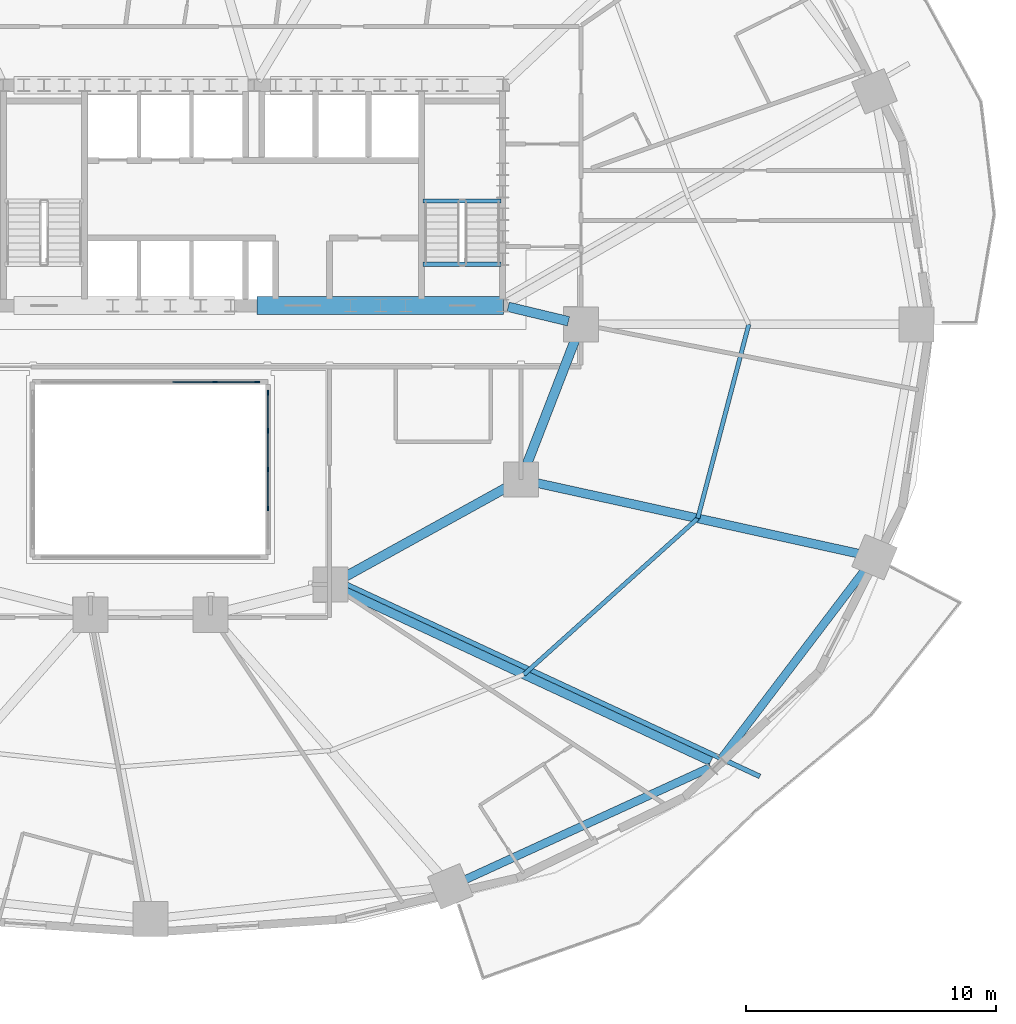
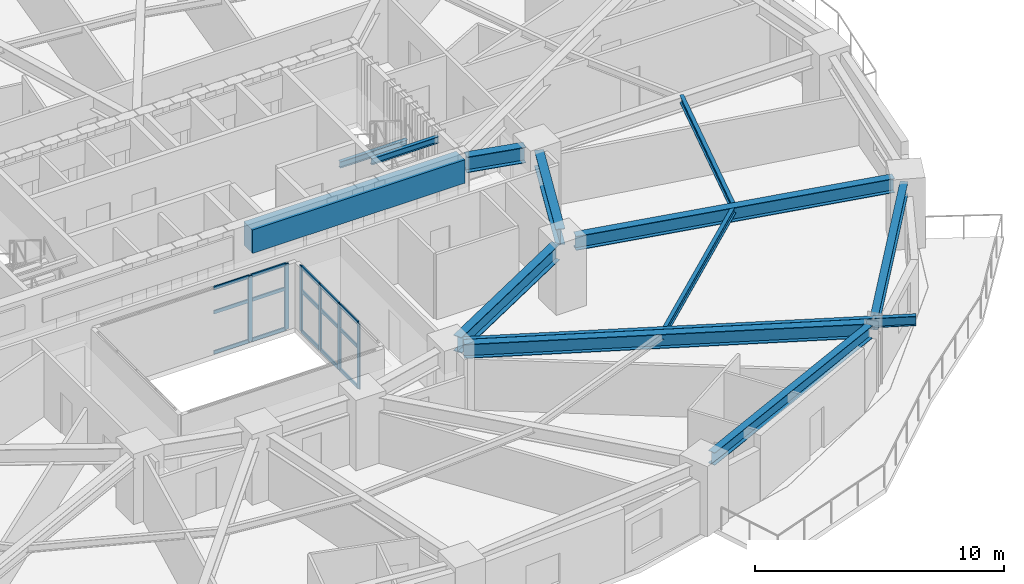
# One storey, part 6 of 17: 21 members, 13 beams, 2 elements without a shape of their own.
"""IFC4 building model written with IfcOpenShell, lengths in metres."""

import ifcopenshell
import ifcopenshell.guid

model = None  # the IFC model being written
_history = None  # IfcOwnerHistory: only IFC2X3 demands one
_inside = {}  # id of a spatial element -> (the spatial element, [elements in it])
_under = {}  # id of a project, library or spatial element -> (it, [spatial elements below it])
_declared = {}  # id of a project -> (the project, [libraries it declares])
_typed = {}  # id of a type object -> (the type object, [elements of that type])
_made_of = {}  # id of a material, layer set ... -> (it, [elements and type objects made of it])


def new_model(schema):
    """Start an empty IFC model of exactly this schema.

    Asked for "IFC4X3", IfcOpenShell would pick the latest addendum, in which some entities
    have other attributes; the version numbers below select the first issue.
    IFC2X3 requires an IfcOwnerHistory on every rooted entity: one is made here for all.
    """
    global model, _history
    if schema == "IFC4X3":
        model = ifcopenshell.file(schema_version=(4, 3, 0, 0))
    else:
        model = ifcopenshell.file(schema=schema)
    _inside.clear()
    _under.clear()
    _declared.clear()
    _typed.clear()
    _made_of.clear()
    _history = None
    if model.schema == "IFC2X3":
        org = make("IfcOrganization", Name="unknown")
        user = make(
            "IfcPersonAndOrganization",
            ThePerson=make("IfcPerson", FamilyName="unknown"),
            TheOrganization=org,
        )
        app = make(
            "IfcApplication",
            ApplicationDeveloper=org,
            Version="unknown",
            ApplicationFullName="unknown",
            ApplicationIdentifier="unknown",
        )
        _history = make(
            "IfcOwnerHistory",
            OwningUser=user,
            OwningApplication=app,
            ChangeAction="ADDED",
            CreationDate=0,
        )
    return model


def make(cls, **values):
    """One entity of the class cls with the attributes given. An attribute that is None is left unset."""
    return model.create_entity(
        cls, **{name: value for name, value in values.items() if value is not None}
    )


def rooted(cls, **values):
    """An entity with a GlobalId (a new one), such as an element, a storey or a relation."""
    return make(cls, GlobalId=ifcopenshell.guid.new(), OwnerHistory=_history, **values)


def si_unit(unit_type, name, prefix=None):
    """IfcSIUnit, for example si_unit("LENGTHUNIT", "METRE", prefix="MILLI")."""
    return make("IfcSIUnit", UnitType=unit_type, Prefix=prefix, Name=name)


def assignment(units):
    """IfcUnitAssignment: the units of a project."""
    return None if units is None else make("IfcUnitAssignment", Units=units)


def point(xyz):
    """IfcCartesianPoint."""
    return None if xyz is None else make("IfcCartesianPoint", Coordinates=xyz)


def direction(xyz):
    """IfcDirection."""
    return None if xyz is None else make("IfcDirection", DirectionRatios=xyz)


def frame(location, z_axis=None, x_axis=None):
    """IfcAxis2Placement3D, a coordinate frame: its origin and axes. An axis left out is left unset."""
    return make(
        "IfcAxis2Placement3D",
        Location=point(location),
        Axis=direction(z_axis),
        RefDirection=direction(x_axis),
    )


def frame_2d(location, x_axis=None):
    """IfcAxis2Placement2D, a coordinate frame in the plane: its origin and x axis."""
    return make(
        "IfcAxis2Placement2D", Location=point(location), RefDirection=direction(x_axis)
    )


def origin():
    """The frame at (0, 0, 0) with its axes left unset."""
    return frame((0.0, 0.0, 0.0))


def origin_2d():
    """The frame at (0, 0) in the plane with its x axis left unset."""
    return frame_2d((0.0, 0.0))


def place(relative_to, where):
    """IfcLocalPlacement: puts the frame where relative to a parent placement (None: the world)."""
    return make(
        "IfcLocalPlacement", PlacementRelTo=relative_to, RelativePlacement=where
    )


def context(
    kind, dimensions, precision=None, world=None, true_north=None, identifier=None
):
    """IfcGeometricRepresentationContext, for example the 3D "Model" context."""
    return make(
        "IfcGeometricRepresentationContext",
        ContextIdentifier=identifier,
        ContextType=kind,
        CoordinateSpaceDimension=dimensions,
        Precision=precision,
        WorldCoordinateSystem=world,
        TrueNorth=true_north,
    )


def subcontext(parent, identifier, kind, view, scale=None):
    """IfcGeometricRepresentationSubContext, for example "Body" below "Model"."""
    return make(
        "IfcGeometricRepresentationSubContext",
        ContextIdentifier=identifier,
        ContextType=kind,
        ParentContext=parent,
        TargetScale=scale,
        TargetView=view,
    )


def project(units=None, contexts=None):
    """IfcProject with its units and contexts."""
    return rooted(
        "IfcProject",
        Name="project",
        RepresentationContexts=contexts,
        UnitsInContext=assignment(units),
    )


def spatial(cls, under=None, at=None, **own):
    """A site, building, storey or space (cls), placed at a placement, below another one or the project."""
    s = rooted(cls, ObjectPlacement=at, **own)
    if under is not None:
        _under.setdefault(under.id(), (under, []))[1].append(s)
    return s


def profile(cls, at=None, kind="AREA", **sizes):
    """A parametric profile (cls). Its sizes go by their IFC names, for example OverallWidth=200.0."""
    return make(cls, ProfileType=kind, Position=at, **sizes)


def rectangle(**sizes):
    """IfcRectangleProfileDef."""
    return profile("IfcRectangleProfileDef", **sizes)


def i_section(**sizes):
    """IfcIShapeProfileDef."""
    return profile("IfcIShapeProfileDef", **sizes)


def extrude(swept, where, along, depth):
    """IfcExtrudedAreaSolid: the profile swept, set in the frame where, extruded along a direction by depth."""
    return make(
        "IfcExtrudedAreaSolid",
        SweptArea=swept,
        Position=where,
        ExtrudedDirection=direction(along),
        Depth=depth,
    )


def shape(context_of_items, identifier, shape_type, items):
    """IfcShapeRepresentation: the items that make up one representation, for example the "Body"."""
    return make(
        "IfcShapeRepresentation",
        ContextOfItems=context_of_items,
        RepresentationIdentifier=identifier,
        RepresentationType=shape_type,
        Items=items,
    )


def material(Name=None, Category=None):
    """IfcMaterial."""
    return make("IfcMaterial", Name=Name, Category=Category)


def material_profile(
    of_material, cross_section, Name=None, Category=None, Priority=None
):
    """IfcMaterialProfile: a cross section and its material."""
    return make(
        "IfcMaterialProfile",
        Name=Name,
        Material=of_material,
        Profile=cross_section,
        Priority=Priority,
        Category=Category,
    )


def profile_set(profiles, Name=None, composite=None):
    """IfcMaterialProfileSet."""
    return make(
        "IfcMaterialProfileSet",
        Name=Name,
        MaterialProfiles=profiles,
        CompositeProfile=composite,
    )


def made_of(thing, what):
    """Note that an element or type object is made of a material, layer set ...; save() writes the relation."""
    if what is not None:
        _made_of.setdefault(what.id(), (what, []))[1].append(thing)
    return thing


def type_object(cls, material=None, **own):
    """A type object (cls), such as IfcWallType, which elements share."""
    return made_of(rooted(cls, **own), material)


def element(
    cls,
    number,
    at=None,
    inside=None,
    cuts=None,
    type_object=None,
    material=None,
    context=None,
    identifier="Body",
    shape_type=None,
    held_by="IfcProductDefinitionShape",
    body=None,
    shapes=None,
    **own,
):
    """One element of the class cls, such as IfcWall. Its Tag is "e" and its number.

    at: its placement. inside: the storey or other place that contains it. cuts: it is an
    opening in that element (IfcRelVoidsElement). A single representation is given by context,
    identifier, shape_type and body (its items); several are given by shapes. held_by: the class
    of the entity that holds the representations. save() writes the other relations.
    """
    e = rooted(cls, Tag="e%d" % number, ObjectPlacement=at, **own)
    if body is not None:
        shapes = [shape(context, identifier, shape_type, body)]
    if shapes is not None:
        e.Representation = make(held_by, Representations=shapes)
    if inside is not None:
        _inside.setdefault(inside.id(), (inside, []))[1].append(e)
    if cuts is not None:
        rooted(
            "IfcRelVoidsElement", RelatingBuildingElement=cuts, RelatedOpeningElement=e
        )
    if type_object is not None:
        _typed.setdefault(type_object.id(), (type_object, []))[1].append(e)
    return made_of(e, material)


def aggregate(whole, parts):
    """IfcRelAggregates: a whole, such as a stair, and the parts it consists of."""
    return rooted("IfcRelAggregates", RelatingObject=whole, RelatedObjects=parts)


def save(model, path):
    """Write the relations noted so far, then the file.

    IfcRelAggregates (storeys below a building ...), IfcRelContainedInSpatialStructure (elements
    in a storey), IfcRelDefinesByType, IfcRelAssociatesMaterial and IfcRelDeclares: one each for
    every whole, place, type object, material and project.
    """
    for whole, parts in _under.values():
        aggregate(whole, parts)
    for where, things in _inside.values():
        rooted(
            "IfcRelContainedInSpatialStructure",
            RelatedElements=things,
            RelatingStructure=where,
        )
    for kind, things in _typed.values():
        rooted("IfcRelDefinesByType", RelatedObjects=things, RelatingType=kind)
    for what, things in _made_of.values():
        rooted("IfcRelAssociatesMaterial", RelatedObjects=things, RelatingMaterial=what)
    for by, libraries in _declared.values():
        rooted("IfcRelDeclares", RelatingContext=by, RelatedDefinitions=libraries)
    model.write(path)


model = new_model("IFC4")

# Units and contexts
model_context = context("Model", 3, precision=1e-05, world=origin(), true_north=direction((0.0, 1.0)))
body_context = subcontext(model_context, "Body", "Model", "MODEL_VIEW")
ifc_project = project(units=[si_unit("LENGTHUNIT", "METRE"), si_unit("AREAUNIT", "SQUARE_METRE"), si_unit("VOLUMEUNIT", "CUBIC_METRE"), si_unit("PLANEANGLEUNIT", "RADIAN"), si_unit("MASSUNIT", "GRAM", prefix="KILO")], contexts=[model_context])

# Site, building, storey
site_placement = place(None, origin())
site = spatial("IfcSite", under=ifc_project, at=site_placement, CompositionType="ELEMENT")
building_placement = place(site_placement, origin())
building = spatial("IfcBuilding", under=site, at=building_placement, Name="Haldorwick Loom Tower", CompositionType="ELEMENT")
storey_placement = place(building_placement, frame((0.0, 0.0, 55.050048828125)))
storey = spatial("IfcBuildingStorey", under=building, at=storey_placement, Name="L14", CompositionType="ELEMENT", Elevation=55.050048828125)

# Curtain wall, members
ifc_material_1 = material(Name="Thermally Broken Anodized Aluminium Curtain Wall Framing", Category="aluminium")
curtain_wall_type = type_object("IfcCurtainWallType", Name="ARC-CW-03", PredefinedType="NOTDEFINED", material=ifc_material_1)
curtain_wall_1_placement = place(storey_placement, origin())
curtain_wall_1 = element("IfcCurtainWall", 1, at=curtain_wall_1_placement, inside=storey, type_object=curtain_wall_type, Name="L14 Atrium Glazed Screen N", PredefinedType="NOTDEFINED")
ifc_material_profile_1 = material_profile(ifc_material_1, rectangle(XDim=0.06591796875, YDim=0.18505859375, at=origin_2d()), Name="ALU_MUL_66X185", Category="aluminium")
ifc_profile_set_1 = profile_set([ifc_material_profile_1], Name="Thermally Broken Anodized Aluminium Curtain Wall Framing")
member_type_1 = type_object("IfcMemberType", Name="ARC-CWM-03", PredefinedType="MULLION", material=ifc_profile_set_1)
member_1_placement = place(storey_placement, frame((38.580078125, 23.699951171875, 0.0), z_axis=(0.0, 0.0, 1.0), x_axis=(0.0, 1.0, 0.0)))
member_1 = element("IfcMember", 2, at=member_1_placement, type_object=member_type_1, Name="CW-03 mullion 5", PredefinedType="MULLION", context=body_context, shape_type="SweptSolid", body=[
    extrude(rectangle(XDim=0.06591796875, YDim=0.18505859375, at=origin_2d()), origin(), (0.0, 0.0, 1.0), 3.2099609375),
])
member_2_placement = place(storey_placement, frame((40.26708984375, 23.699951171875, 0.0), z_axis=(0.0, 0.0, 1.0), x_axis=(0.0, 1.0, 0.0)))
member_2 = element("IfcMember", 3, at=member_2_placement, type_object=member_type_1, Name="CW-03 mullion 6", PredefinedType="MULLION", context=body_context, shape_type="SweptSolid", body=[
    extrude(rectangle(XDim=0.06591796875, YDim=0.18505859375, at=origin_2d()), origin(), (0.0, 0.0, 1.0), 3.2099609375),
])

curtain_wall_2_placement = place(storey_placement, origin())
curtain_wall_2 = element("IfcCurtainWall", 4, at=curtain_wall_2_placement, inside=storey, type_object=curtain_wall_type, Name="L14 Atrium Glazed Screen E", PredefinedType="NOTDEFINED")
member_3_placement = place(storey_placement, frame((40.699951171875, 23.26708984375, 0.0), z_axis=(0.0, 0.0, 1.0), x_axis=(1.0, 0.0, 0.0)))
member_3 = element("IfcMember", 5, at=member_3_placement, type_object=member_type_1, Name="CW-03 mullion 1", PredefinedType="MULLION", context=body_context, shape_type="SweptSolid", body=[
    extrude(rectangle(XDim=0.06591796875, YDim=0.18505859375, at=origin_2d()), origin(), (0.0, 0.0, 1.0), 3.2099609375),
])
member_4_placement = place(storey_placement, frame((40.699951171875, 21.75, 0.0), z_axis=(0.0, 0.0, 1.0), x_axis=(1.0, 0.0, 0.0)))
member_4 = element("IfcMember", 6, at=member_4_placement, type_object=member_type_1, Name="CW-03 mullion 2", PredefinedType="MULLION", context=body_context, shape_type="SweptSolid", body=[
    extrude(rectangle(XDim=0.06591796875, YDim=0.18505859375, at=origin_2d()), origin(), (0.0, 0.0, 1.0), 3.2099609375),
])
member_5_placement = place(storey_placement, frame((40.699951171875, 20.199951171875, 0.0), z_axis=(0.0, 0.0, 1.0), x_axis=(1.0, 0.0, 0.0)))
member_5 = element("IfcMember", 7, at=member_5_placement, type_object=member_type_1, Name="CW-03 mullion 3", PredefinedType="MULLION", context=body_context, shape_type="SweptSolid", body=[
    extrude(rectangle(XDim=0.06591796875, YDim=0.18505859375, at=origin_2d()), origin(), (0.0, 0.0, 1.0), 3.2099609375),
])
member_6_placement = place(storey_placement, frame((40.699951171875, 18.64990234375, 0.0), z_axis=(0.0, 0.0, 1.0), x_axis=(1.0, 0.0, 0.0)))
member_6 = element("IfcMember", 8, at=member_6_placement, type_object=member_type_1, Name="CW-03 mullion 4", PredefinedType="MULLION", context=body_context, shape_type="SweptSolid", body=[
    extrude(rectangle(XDim=0.06591796875, YDim=0.18505859375, at=origin_2d()), origin(), (0.0, 0.0, 1.0), 3.2099609375),
])

# Member
ifc_material_profile_2 = material_profile(ifc_material_1, rectangle(XDim=0.06591796875, YDim=0.1650390625, at=origin_2d()), Name="ALU_TRN_66X165", Category="aluminium")
ifc_profile_set_2 = profile_set([ifc_material_profile_2], Name="Thermally Broken Anodized Aluminium Curtain Wall Framing")
member_type_2 = type_object("IfcMemberType", Name="ARC-CWT-03", PredefinedType="USERDEFINED", material=ifc_profile_set_2)
member_7_placement = place(storey_placement, frame((36.89306640625, 23.699951171875, 0.032958984375), z_axis=(1.0, 0.0, 0.0), x_axis=(0.0, 1.0, 0.0)))
member_7 = element("IfcMember", 9, at=member_7_placement, type_object=member_type_2, Name="CW-03 transom 4.1", ObjectType="TRANSOM", PredefinedType="USERDEFINED", context=body_context, shape_type="SweptSolid", body=[
    extrude(rectangle(XDim=0.06591796875, YDim=0.1650390625, at=origin_2d()), origin(), (0.0, 0.0, 1.0), 1.654052734375),
])

member_8_placement = place(storey_placement, frame((36.89306640625, 23.699951171875, 2.0), z_axis=(1.0, 0.0, 0.0), x_axis=(0.0, 1.0, 0.0)))
member_8 = element("IfcMember", 10, at=member_8_placement, type_object=member_type_2, Name="CW-03 transom 4.2", ObjectType="TRANSOM", PredefinedType="USERDEFINED", context=body_context, shape_type="SweptSolid", body=[
    extrude(rectangle(XDim=0.06591796875, YDim=0.1650390625, at=origin_2d()), origin(), (0.0, 0.0, 1.0), 1.654052734375),
])

member_9_placement = place(storey_placement, frame((36.89306640625, 23.699951171875, 3.177001953125), z_axis=(1.0, 0.0, 0.0), x_axis=(0.0, 1.0, 0.0)))
member_9 = element("IfcMember", 11, at=member_9_placement, type_object=member_type_2, Name="CW-03 transom 4.3", ObjectType="TRANSOM", PredefinedType="USERDEFINED", context=body_context, shape_type="SweptSolid", body=[
    extrude(rectangle(XDim=0.06591796875, YDim=0.1650390625, at=origin_2d()), origin(), (0.0, 0.0, 1.0), 1.654052734375),
])

member_10_placement = place(storey_placement, frame((38.613037109375, 23.699951171875, 0.032958984375), z_axis=(1.0, 0.0, 0.0), x_axis=(0.0, 1.0, 0.0)))
member_10 = element("IfcMember", 12, at=member_10_placement, type_object=member_type_2, Name="CW-03 transom 5.1", ObjectType="TRANSOM", PredefinedType="USERDEFINED", context=body_context, shape_type="SweptSolid", body=[
    extrude(rectangle(XDim=0.06591796875, YDim=0.1650390625, at=origin_2d()), origin(), (0.0, 0.0, 1.0), 1.620849609375),
])

member_11_placement = place(storey_placement, frame((38.613037109375, 23.699951171875, 2.0), z_axis=(1.0, 0.0, 0.0), x_axis=(0.0, 1.0, 0.0)))
member_11 = element("IfcMember", 13, at=member_11_placement, type_object=member_type_2, Name="CW-03 transom 5.2", ObjectType="TRANSOM", PredefinedType="USERDEFINED", context=body_context, shape_type="SweptSolid", body=[
    extrude(rectangle(XDim=0.06591796875, YDim=0.1650390625, at=origin_2d()), origin(), (0.0, 0.0, 1.0), 1.620849609375),
])

member_12_placement = place(storey_placement, frame((38.613037109375, 23.699951171875, 3.177001953125), z_axis=(1.0, 0.0, 0.0), x_axis=(0.0, 1.0, 0.0)))
member_12 = element("IfcMember", 14, at=member_12_placement, type_object=member_type_2, Name="CW-03 transom 5.3", ObjectType="TRANSOM", PredefinedType="USERDEFINED", context=body_context, shape_type="SweptSolid", body=[
    extrude(rectangle(XDim=0.06591796875, YDim=0.1650390625, at=origin_2d()), origin(), (0.0, 0.0, 1.0), 1.620849609375),
])

aggregate(curtain_wall_1, [member_1, member_2, member_7, member_8, member_9, member_10, member_11, member_12])

member_13_placement = place(storey_placement, frame((40.699951171875, 23.23388671875, 0.032958984375), z_axis=(0.0, -1.0, 0.0), x_axis=(1.0, 0.0, 0.0)))
member_13 = element("IfcMember", 15, at=member_13_placement, type_object=member_type_2, Name="CW-03 transom 1.1", ObjectType="TRANSOM", PredefinedType="USERDEFINED", context=body_context, shape_type="SweptSolid", body=[
    extrude(rectangle(XDim=0.06591796875, YDim=0.1650390625, at=origin_2d()), origin(), (0.0, 0.0, 1.0), 1.450927734375),
])

member_14_placement = place(storey_placement, frame((40.699951171875, 23.23388671875, 2.0), z_axis=(0.0, -1.0, 0.0), x_axis=(1.0, 0.0, 0.0)))
member_14 = element("IfcMember", 16, at=member_14_placement, type_object=member_type_2, Name="CW-03 transom 1.2", ObjectType="TRANSOM", PredefinedType="USERDEFINED", context=body_context, shape_type="SweptSolid", body=[
    extrude(rectangle(XDim=0.06591796875, YDim=0.1650390625, at=origin_2d()), origin(), (0.0, 0.0, 1.0), 1.450927734375),
])

member_15_placement = place(storey_placement, frame((40.699951171875, 23.23388671875, 3.177001953125), z_axis=(0.0, -1.0, 0.0), x_axis=(1.0, 0.0, 0.0)))
member_15 = element("IfcMember", 17, at=member_15_placement, type_object=member_type_2, Name="CW-03 transom 1.3", ObjectType="TRANSOM", PredefinedType="USERDEFINED", context=body_context, shape_type="SweptSolid", body=[
    extrude(rectangle(XDim=0.06591796875, YDim=0.1650390625, at=origin_2d()), origin(), (0.0, 0.0, 1.0), 1.450927734375),
])

member_16_placement = place(storey_placement, frame((40.699951171875, 21.717041015625, 0.032958984375), z_axis=(0.0, -1.0, 0.0), x_axis=(1.0, 0.0, 0.0)))
member_16 = element("IfcMember", 18, at=member_16_placement, type_object=member_type_2, Name="CW-03 transom 2.1", ObjectType="TRANSOM", PredefinedType="USERDEFINED", context=body_context, shape_type="SweptSolid", body=[
    extrude(rectangle(XDim=0.06591796875, YDim=0.1650390625, at=origin_2d()), origin(), (0.0, 0.0, 1.0), 1.484130859375),
])

member_17_placement = place(storey_placement, frame((40.699951171875, 21.717041015625, 2.0), z_axis=(0.0, -1.0, 0.0), x_axis=(1.0, 0.0, 0.0)))
member_17 = element("IfcMember", 19, at=member_17_placement, type_object=member_type_2, Name="CW-03 transom 2.2", ObjectType="TRANSOM", PredefinedType="USERDEFINED", context=body_context, shape_type="SweptSolid", body=[
    extrude(rectangle(XDim=0.06591796875, YDim=0.1650390625, at=origin_2d()), origin(), (0.0, 0.0, 1.0), 1.484130859375),
])

member_18_placement = place(storey_placement, frame((40.699951171875, 21.717041015625, 3.177001953125), z_axis=(0.0, -1.0, 0.0), x_axis=(1.0, 0.0, 0.0)))
member_18 = element("IfcMember", 20, at=member_18_placement, type_object=member_type_2, Name="CW-03 transom 2.3", ObjectType="TRANSOM", PredefinedType="USERDEFINED", context=body_context, shape_type="SweptSolid", body=[
    extrude(rectangle(XDim=0.06591796875, YDim=0.1650390625, at=origin_2d()), origin(), (0.0, 0.0, 1.0), 1.484130859375),
])

member_19_placement = place(storey_placement, frame((40.699951171875, 20.1669921875, 0.032958984375), z_axis=(0.0, -1.0, 0.0), x_axis=(1.0, 0.0, 0.0)))
member_19 = element("IfcMember", 21, at=member_19_placement, type_object=member_type_2, Name="CW-03 transom 3.1", ObjectType="TRANSOM", PredefinedType="USERDEFINED", context=body_context, shape_type="SweptSolid", body=[
    extrude(rectangle(XDim=0.06591796875, YDim=0.1650390625, at=origin_2d()), origin(), (0.0, 0.0, 1.0), 1.48388671875),
])

member_20_placement = place(storey_placement, frame((40.699951171875, 20.1669921875, 2.0), z_axis=(0.0, -1.0, 0.0), x_axis=(1.0, 0.0, 0.0)))
member_20 = element("IfcMember", 22, at=member_20_placement, type_object=member_type_2, Name="CW-03 transom 3.2", ObjectType="TRANSOM", PredefinedType="USERDEFINED", context=body_context, shape_type="SweptSolid", body=[
    extrude(rectangle(XDim=0.06591796875, YDim=0.1650390625, at=origin_2d()), origin(), (0.0, 0.0, 1.0), 1.48388671875),
])

member_21_placement = place(storey_placement, frame((40.699951171875, 20.1669921875, 3.177001953125), z_axis=(0.0, -1.0, 0.0), x_axis=(1.0, 0.0, 0.0)))
member_21 = element("IfcMember", 23, at=member_21_placement, type_object=member_type_2, Name="CW-03 transom 3.3", ObjectType="TRANSOM", PredefinedType="USERDEFINED", context=body_context, shape_type="SweptSolid", body=[
    extrude(rectangle(XDim=0.06591796875, YDim=0.1650390625, at=origin_2d()), origin(), (0.0, 0.0, 1.0), 1.48388671875),
])

aggregate(curtain_wall_2, [member_3, member_4, member_5, member_6, member_13, member_14, member_15, member_16, member_17, member_18, member_19, member_20, member_21])

# Beams
ifc_material_2 = material(Name="Steel CSA G40.21 350W", Category="steel")
ifc_material_profile_3 = material_profile(ifc_material_2, i_section(OverallWidth=0.193115234375, OverallDepth=0.466064453125, WebThickness=0.011474609375, FlangeThickness=0.01904296875, at=origin_2d()), Name="W460X97", Category="steel")
ifc_profile_set_3 = profile_set([ifc_material_profile_3], Name="Steel CSA G40.21 350W")
beam_type_1 = type_object("IfcBeamType", Name="STR-BM-BAL460", PredefinedType="BEAM", material=ifc_profile_set_3)
beam_1_placement = place(storey_placement, frame((43.78955078125, 15.634765625, 2.97705078125), z_axis=(0.906835669686, -0.42148436292, 0.0), x_axis=(0.42148436292, 0.906835669686, 0.0)))
element("IfcBeam", 24, at=beam_1_placement, inside=storey, type_object=beam_type_1, Name="L14 Continuous Back-Spanned Balcony Beam 1", PredefinedType="BEAM", context=body_context, shape_type="SweptSolid", body=[
    extrude(i_section(OverallWidth=0.193115234375, OverallDepth=0.466064453125, WebThickness=0.011474609375, FlangeThickness=0.01904296875, at=origin_2d()), origin(), (0.0, 0.0, 1.0), 18.245361328125),
])
ifc_material_3 = material(Name="Concrete C60 (60 MPa)", Category="concrete")
ifc_material_profile_4 = material_profile(ifc_material_3, rectangle(XDim=0.699951171875, YDim=1.14990234375, at=origin_2d()), Name="RC700X1150", Category="concrete")
ifc_profile_set_4 = profile_set([ifc_material_profile_4], Name="Concrete C60 (60 MPa)")
beam_type_2 = type_object("IfcBeamType", Name="STR-BM-CB1150", PredefinedType="LINTEL", material=ifc_profile_set_4)
beam_2_placement = place(storey_placement, frame((40.25, 26.75, 2.635009765625), z_axis=(1.0, 0.0, 0.0), x_axis=(0.0, 1.0, 0.0)))
element("IfcBeam", 25, at=beam_2_placement, inside=storey, type_object=beam_type_2, Name="L14 Core Coupling Beam CB-S3", PredefinedType="LINTEL", context=body_context, shape_type="SweptSolid", body=[
    extrude(rectangle(XDim=0.699951171875, YDim=1.14990234375, at=origin_2d()), origin(), (0.0, 0.0, 1.0), 9.85009765625),
])
ifc_material_profile_5 = material_profile(ifc_material_2, i_section(OverallWidth=0.172119140625, OverallDepth=0.35791015625, WebThickness=0.0078125, FlangeThickness=0.01318359375, at=origin_2d()), Name="W360X57", Category="steel")
ifc_profile_set_5 = profile_set([ifc_material_profile_5], Name="Steel CSA G40.21 350W")
beam_type_3 = type_object("IfcBeamType", Name="STR-BM-J360", PredefinedType="JOIST", material=ifc_profile_set_5)
beam_3_placement = place(storey_placement, frame((50.9150390625, 12.01416015625, 3.031005859375), z_axis=(0.743981830112, 0.668199847698, 0.0), x_axis=(-0.668199847698, 0.743981830112, 0.0)))
element("IfcBeam", 26, at=beam_3_placement, inside=storey, type_object=beam_type_3, Name="L14 Mid-Bay Secondary Joist 15", PredefinedType="JOIST", context=body_context, shape_type="SweptSolid", body=[
    extrude(i_section(OverallWidth=0.172119140625, OverallDepth=0.35791015625, WebThickness=0.0078125, FlangeThickness=0.01318359375, at=origin_2d()), origin(), (0.0, 0.0, 1.0), 9.3330078125),
])
beam_4_placement = place(storey_placement, frame((57.858642578125, 18.25048828125, 3.031005859375), z_axis=(0.2544888003, 0.967075721193, 0.0), x_axis=(-0.967075721193, 0.2544888003, 0.0)))
element("IfcBeam", 27, at=beam_4_placement, inside=storey, type_object=beam_type_3, Name="L14 Mid-Bay Secondary Joist 16", PredefinedType="JOIST", context=body_context, shape_type="SweptSolid", body=[
    extrude(i_section(OverallWidth=0.172119140625, OverallDepth=0.35791015625, WebThickness=0.0078125, FlangeThickness=0.01318359375, at=origin_2d()), origin(), (0.0, 0.0, 1.0), 8.013427734375),
])
ifc_material_profile_6 = material_profile(ifc_material_2, i_section(OverallWidth=0.324951171875, OverallDepth=0.615966796875, WebThickness=0.013916015625, FlangeThickness=0.021484375, at=origin_2d()), Name="W610X174", Category="steel")
ifc_profile_set_6 = profile_set([ifc_material_profile_6], Name="Steel CSA G40.21 350W")
beam_type_4 = type_object("IfcBeamType", Name="STR-BM-SP610", PredefinedType="SPANDREL", material=ifc_profile_set_6)
beam_5_placement = place(storey_placement, frame((48.45068359375, 3.76611328125, 2.90185546875), z_axis=(0.909173805321, 0.416416848504, 0.0), x_axis=(-0.416416848504, 0.909173805321, 0.0)))
element("IfcBeam", 28, at=beam_5_placement, inside=storey, type_object=beam_type_4, Name="L14 Perimeter Spandrel 14", PredefinedType="SPANDREL", context=body_context, shape_type="SweptSolid", body=[
    extrude(i_section(OverallWidth=0.324951171875, OverallDepth=0.615966796875, WebThickness=0.013916015625, FlangeThickness=0.021484375, at=origin_2d()), origin(), (0.0, 0.0, 1.0), 10.92138671875),
])
beam_6_placement = place(storey_placement, frame((58.796630859375, 8.647216796875, 2.90185546875), z_axis=(0.605084557744, 0.796161213562, 0.0), x_axis=(-0.796161213562, 0.605084557744, 0.0)))
element("IfcBeam", 29, at=beam_6_placement, inside=storey, type_object=beam_type_4, Name="L14 Perimeter Spandrel 15", PredefinedType="SPANDREL", context=body_context, shape_type="SweptSolid", body=[
    extrude(i_section(OverallWidth=0.324951171875, OverallDepth=0.615966796875, WebThickness=0.013916015625, FlangeThickness=0.021484375, at=origin_2d()), origin(), (0.0, 0.0, 1.0), 9.595703125),
])
ifc_material_profile_7 = material_profile(ifc_material_2, i_section(OverallWidth=0.166015625, OverallDepth=0.31298828125, WebThickness=0.006591796875, FlangeThickness=0.01123046875, at=origin_2d()), Name="W310X45", Category="steel")
ifc_profile_set_7 = profile_set([ifc_material_profile_7], Name="Steel CSA G40.21 350W")
beam_type_5 = type_object("IfcBeamType", Name="STR-BM-STRM", PredefinedType="BEAM", material=ifc_profile_set_7)
for number, where, z_axis, x_axis, name in (
    (30, (46.889892578125, 28.39990234375, 3.053466796875), (1.0, 0.0, 0.0), (0.0, 1.0, 0.0), "L14 Stair ST-02 Landing Edge Trimmer"),
    (31, (46.889892578125, 30.919921875, 1.368408203125), (1.0, 0.0, 0.0), (0.0, 1.0, 0.0), "L14 Stair ST-02 Half-Landing Trimmer 1"),
):
    element("IfcBeam", number, at=place(storey_placement, frame(where, z_axis=z_axis, x_axis=x_axis)), inside=storey, type_object=beam_type_5, Name=name, PredefinedType="BEAM", context=body_context, shape_type="SweptSolid", body=[
        extrude(i_section(OverallWidth=0.166015625, OverallDepth=0.31298828125, WebThickness=0.006591796875, FlangeThickness=0.01123046875, at=origin_2d()), origin(), (0.0, 0.0, 1.0), 3.1201171875),
    ])
ifc_material_profile_8 = material_profile(ifc_material_2, i_section(OverallWidth=0.35498046875, OverallDepth=0.695068359375, WebThickness=0.015380859375, FlangeThickness=0.02490234375, at=origin_2d()), Name="W690X217", Category="steel")
ifc_profile_set_8 = profile_set([ifc_material_profile_8], Name="Steel CSA G40.21 350W")
beam_type_6 = type_object("IfcBeamType", Name="STR-BM-W690", PredefinedType="BEAM", material=ifc_profile_set_8)
beam_7_placement = place(storey_placement, frame((43.671630859375, 15.380859375, 2.862548828125), z_axis=(0.90683498532, -0.421485835349, 0.0), x_axis=(0.421485835349, 0.90683498532, 0.0)))
element("IfcBeam", 32, at=beam_7_placement, inside=storey, type_object=beam_type_6, Name="L14 Radial Floor Girder 15", PredefinedType="BEAM", context=body_context, shape_type="SweptSolid", body=[
    extrude(i_section(OverallWidth=0.35498046875, OverallDepth=0.695068359375, WebThickness=0.015380859375, FlangeThickness=0.02490234375, at=origin_2d()), origin(), (0.0, 0.0, 1.0), 16.220458984375),
])
beam_8_placement = place(storey_placement, frame((51.307861328125, 19.6884765625, 2.862548828125), z_axis=(0.976740159434, -0.214426353203, 0.0), x_axis=(0.214426353203, 0.976740159434, 0.0)))
element("IfcBeam", 33, at=beam_8_placement, inside=storey, type_object=beam_type_6, Name="L14 Radial Floor Girder 16", PredefinedType="BEAM", context=body_context, shape_type="SweptSolid", body=[
    extrude(i_section(OverallWidth=0.35498046875, OverallDepth=0.695068359375, WebThickness=0.015380859375, FlangeThickness=0.02490234375, at=origin_2d()), origin(), (0.0, 0.0, 1.0), 13.41357421875),
])
ifc_material_profile_9 = material_profile(ifc_material_2, i_section(OverallWidth=0.381103515625, OverallDepth=0.77294921875, WebThickness=0.0166015625, FlangeThickness=0.027587890625, at=origin_2d()), Name="W760X257", Category="steel")
ifc_profile_set_9 = profile_set([ifc_material_profile_9], Name="Steel CSA G40.21 350W")
beam_type_7 = type_object("IfcBeamType", Name="STR-BM-W760", PredefinedType="BEAM", material=ifc_profile_set_9)
beam_9_placement = place(storey_placement, frame((50.288818359375, 26.697509765625, 2.823486328125), z_axis=(0.97247055837, -0.233025777764, 0.0), x_axis=(0.233025777764, 0.97247055837, 0.0)))
element("IfcBeam", 34, at=beam_9_placement, inside=storey, type_object=beam_type_7, Name="L14 Inner Ring Girder 1", PredefinedType="BEAM", context=body_context, shape_type="SweptSolid", body=[
    extrude(i_section(OverallWidth=0.381103515625, OverallDepth=0.77294921875, WebThickness=0.0166015625, FlangeThickness=0.027587890625, at=origin_2d()), origin(), (0.0, 0.0, 1.0), 2.4736328125),
])
beam_10_placement = place(storey_placement, frame((53.01220703125, 25.51513671875, 2.823486328125), z_axis=(-0.360964792353, -0.93257944363, 0.0), x_axis=(0.93257944363, -0.360964792353, 0.0)))
element("IfcBeam", 35, at=beam_10_placement, inside=storey, type_object=beam_type_7, Name="L14 Inner Ring Girder 2", PredefinedType="BEAM", context=body_context, shape_type="SweptSolid", body=[
    extrude(i_section(OverallWidth=0.381103515625, OverallDepth=0.77294921875, WebThickness=0.0166015625, FlangeThickness=0.027587890625, at=origin_2d()), origin(), (0.0, 0.0, 1.0), 5.6083984375),
])
beam_11_placement = place(storey_placement, frame((50.344970703125, 19.548583984375, 2.823486328125), z_axis=(-0.875244382146, -0.483680960471, 0.0), x_axis=(0.483680960471, -0.875244382146, 0.0)))
element("IfcBeam", 36, at=beam_11_placement, inside=storey, type_object=beam_type_7, Name="L14 Inner Ring Girder 3", PredefinedType="BEAM", context=body_context, shape_type="SweptSolid", body=[
    extrude(i_section(OverallWidth=0.381103515625, OverallDepth=0.77294921875, WebThickness=0.0166015625, FlangeThickness=0.027587890625, at=origin_2d()), origin(), (0.0, 0.0, 1.0), 7.6435546875),
])

save(model, "model.ifc")
